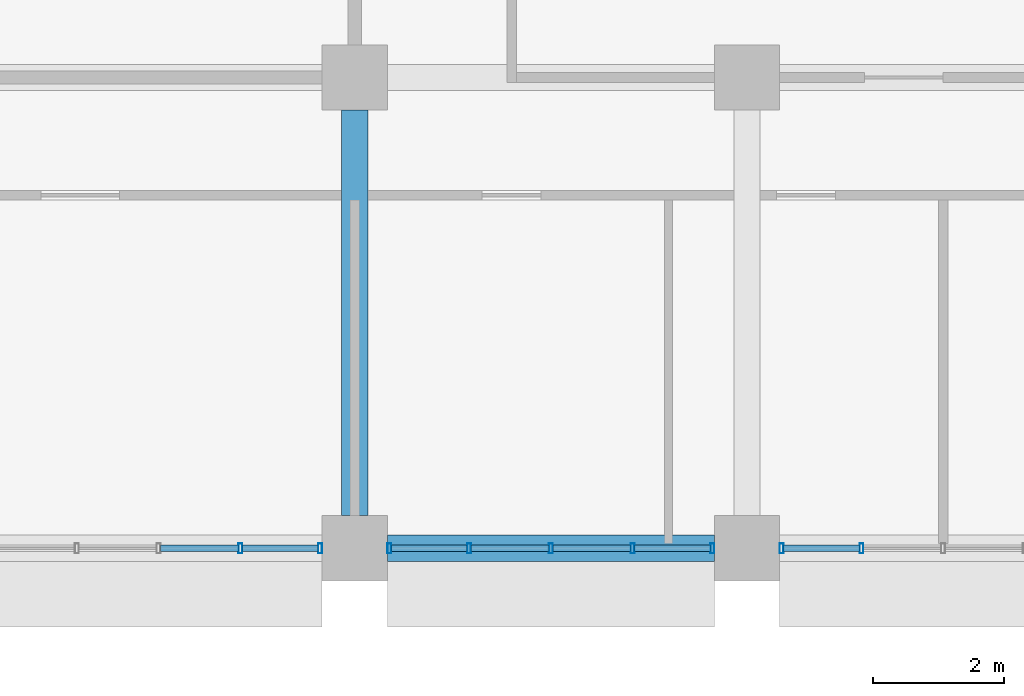
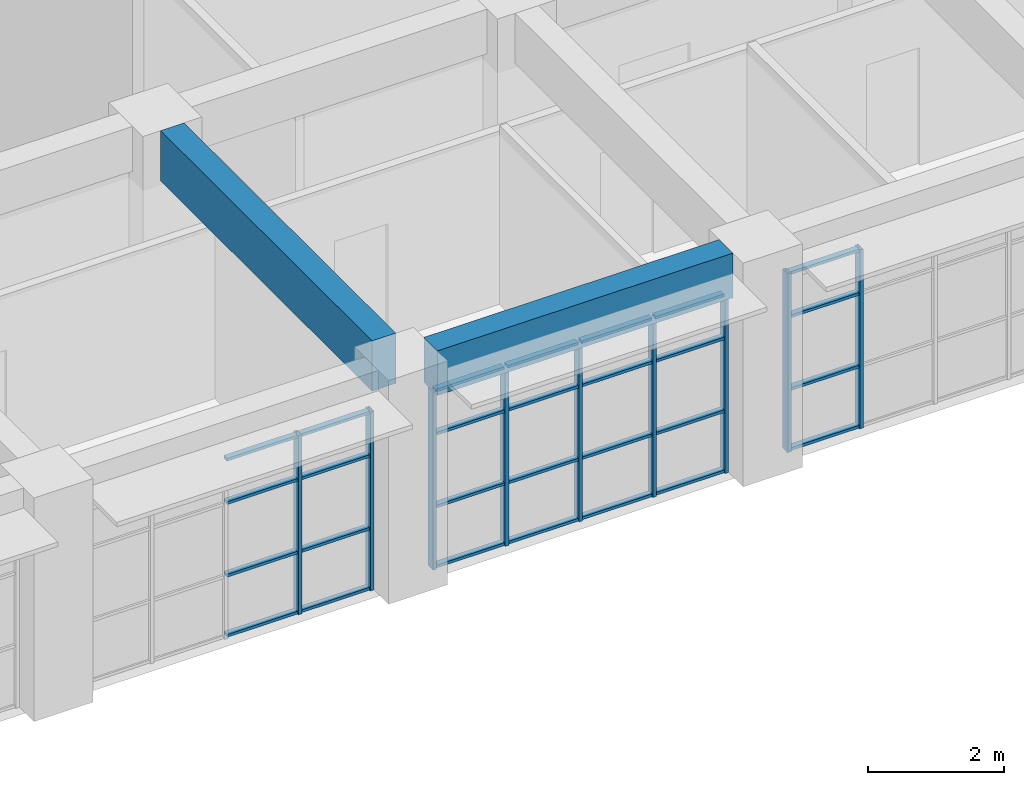
# One storey, part 36 of 92: 37 members, 2 beams, 3 elements without a shape of their own.
"""IFC4 building model written with IfcOpenShell, lengths in metres."""

from ifc_helpers import new_model, si_unit, direction, frame, origin, origin_2d, place, context, subcontext, project, spatial, rectangle, hollow_rectangle, extrude, material, material_profile, profile_set, type_object, element, aggregate, save


model = new_model("IFC4")

# Units and contexts
model_context = context("Model", 3, precision=1e-05, world=origin(), true_north=direction((0.0, 1.0)))
body_context = subcontext(model_context, "Body", "Model", "MODEL_VIEW")
ifc_project = project(units=[si_unit("LENGTHUNIT", "METRE"), si_unit("AREAUNIT", "SQUARE_METRE"), si_unit("VOLUMEUNIT", "CUBIC_METRE"), si_unit("PLANEANGLEUNIT", "RADIAN"), si_unit("MASSUNIT", "GRAM", prefix="KILO")], contexts=[model_context])

# Site, building, storey
site_placement = place(None, origin())
site = spatial("IfcSite", under=ifc_project, at=site_placement, CompositionType="ELEMENT")
building_placement = place(site_placement, origin())
building = spatial("IfcBuilding", under=site, at=building_placement, Name="Laocheng Heights Fire and Rescue Headquarters", CompositionType="ELEMENT")
storey_placement = place(building_placement, frame((0.0, 0.0, 12.60009765625)))
storey = spatial("IfcBuildingStorey", under=building, at=storey_placement, Name="L03", CompositionType="ELEMENT", Elevation=12.60009765625)

# Curtain wall, members
ifc_material_1 = material(Name="Dark anodised aluminium unitised curtain wall, low-e double glazing", Category="aluminium")
curtain_wall_type = type_object("IfcCurtainWallType", Name="CW 5000 x 3200 HQ SOUTH RIBBON", PredefinedType="NOTDEFINED", material=ifc_material_1)
curtain_wall_1_placement = place(storey_placement, origin())
curtain_wall_1 = element("IfcCurtainWall", 1, at=curtain_wall_1_placement, inside=storey, type_object=curtain_wall_type, Name="X10-X HQ SOUTH L03", PredefinedType="NOTDEFINED")
ifc_material_2 = material(Name="Dark anodised aluminium 6063-T5 extrusion", Category="aluminium")
ifc_material_profile_1 = material_profile(ifc_material_2, hollow_rectangle(XDim=0.14990234375, YDim=0.06005859375, WallThickness=0.0029296875, at=origin_2d()), Name="AL MULLION 150x60x3 HQ SOUTH RIBBON")
ifc_profile_set_1 = profile_set([ifc_material_profile_1], Name="Dark anodised aluminium 6063-T5 extrusion")
member_type_1 = type_object("IfcMemberType", Name="AL MULLION 150x60x3 HQ SOUTH RIBBON", PredefinedType="MULLION", material=ifc_profile_set_1)
member_1_placement = place(storey_placement, frame((64.25, 50.39990234375, 0.0), z_axis=(0.0, 0.0, 1.0), x_axis=(0.0, 1.0, 0.0)))
member_1 = element("IfcMember", 2, at=member_1_placement, type_object=member_type_1, Name="X10-X mullion 4", PredefinedType="MULLION", context=body_context, shape_type="SweptSolid", body=[
    extrude(hollow_rectangle(XDim=0.14990234375, YDim=0.06005859375, WallThickness=0.0029296875, at=origin_2d()), origin(), (0.0, 0.0, 1.0), 3.199951171875),
])
member_2_placement = place(storey_placement, frame((65.469970703125, 50.39990234375, 0.0), z_axis=(0.0, 0.0, 1.0), x_axis=(0.0, 1.0, 0.0)))
member_2 = element("IfcMember", 3, at=member_2_placement, type_object=member_type_1, Name="X10-X mullion 5", PredefinedType="MULLION", context=body_context, shape_type="SweptSolid", body=[
    extrude(hollow_rectangle(XDim=0.14990234375, YDim=0.06005859375, WallThickness=0.0029296875, at=origin_2d()), origin(), (0.0, 0.0, 1.0), 3.199951171875),
])

curtain_wall_2_placement = place(storey_placement, origin())
curtain_wall_2 = element("IfcCurtainWall", 4, at=curtain_wall_2_placement, inside=storey, type_object=curtain_wall_type, Name="X10-X HQ SOUTH L03", PredefinedType="NOTDEFINED")
member_3_placement = place(storey_placement, frame((66.530029296875, 50.39990234375, 0.0), z_axis=(0.0, 0.0, 1.0), x_axis=(0.0, 1.0, 0.0)))
member_3 = element("IfcMember", 5, at=member_3_placement, type_object=member_type_1, Name="X10-X mullion 1", PredefinedType="MULLION", context=body_context, shape_type="SweptSolid", body=[
    extrude(hollow_rectangle(XDim=0.14990234375, YDim=0.06005859375, WallThickness=0.0029296875, at=origin_2d()), origin(), (0.0, 0.0, 1.0), 3.199951171875),
])
member_4_placement = place(storey_placement, frame((67.75, 50.39990234375, 0.0), z_axis=(0.0, 0.0, 1.0), x_axis=(0.0, 1.0, 0.0)))
member_4 = element("IfcMember", 6, at=member_4_placement, type_object=member_type_1, Name="X10-X mullion 2", PredefinedType="MULLION", context=body_context, shape_type="SweptSolid", body=[
    extrude(hollow_rectangle(XDim=0.14990234375, YDim=0.06005859375, WallThickness=0.0029296875, at=origin_2d()), origin(), (0.0, 0.0, 1.0), 3.199951171875),
])
member_5_placement = place(storey_placement, frame((69.0, 50.39990234375, 0.0), z_axis=(0.0, 0.0, 1.0), x_axis=(0.0, 1.0, 0.0)))
member_5 = element("IfcMember", 7, at=member_5_placement, type_object=member_type_1, Name="X10-X mullion 3", PredefinedType="MULLION", context=body_context, shape_type="SweptSolid", body=[
    extrude(hollow_rectangle(XDim=0.14990234375, YDim=0.06005859375, WallThickness=0.0029296875, at=origin_2d()), origin(), (0.0, 0.0, 1.0), 3.199951171875),
])
member_6_placement = place(storey_placement, frame((70.25, 50.39990234375, 0.0), z_axis=(0.0, 0.0, 1.0), x_axis=(0.0, 1.0, 0.0)))
member_6 = element("IfcMember", 8, at=member_6_placement, type_object=member_type_1, Name="X10-X mullion 4", PredefinedType="MULLION", context=body_context, shape_type="SweptSolid", body=[
    extrude(hollow_rectangle(XDim=0.14990234375, YDim=0.06005859375, WallThickness=0.0029296875, at=origin_2d()), origin(), (0.0, 0.0, 1.0), 3.199951171875),
])
member_7_placement = place(storey_placement, frame((71.469970703125, 50.39990234375, 0.0), z_axis=(0.0, 0.0, 1.0), x_axis=(0.0, 1.0, 0.0)))
member_7 = element("IfcMember", 9, at=member_7_placement, type_object=member_type_1, Name="X10-X mullion 5", PredefinedType="MULLION", context=body_context, shape_type="SweptSolid", body=[
    extrude(hollow_rectangle(XDim=0.14990234375, YDim=0.06005859375, WallThickness=0.0029296875, at=origin_2d()), origin(), (0.0, 0.0, 1.0), 3.199951171875),
])

curtain_wall_3_placement = place(storey_placement, origin())
curtain_wall_3 = element("IfcCurtainWall", 10, at=curtain_wall_3_placement, inside=storey, type_object=curtain_wall_type, Name="X10-X HQ SOUTH L03", PredefinedType="NOTDEFINED")
member_8_placement = place(storey_placement, frame((72.530029296875, 50.39990234375, 0.0), z_axis=(0.0, 0.0, 1.0), x_axis=(0.0, 1.0, 0.0)))
member_8 = element("IfcMember", 11, at=member_8_placement, type_object=member_type_1, Name="X10-X mullion 1", PredefinedType="MULLION", context=body_context, shape_type="SweptSolid", body=[
    extrude(hollow_rectangle(XDim=0.14990234375, YDim=0.06005859375, WallThickness=0.0029296875, at=origin_2d()), origin(), (0.0, 0.0, 1.0), 3.199951171875),
])
member_9_placement = place(storey_placement, frame((73.75, 50.39990234375, 0.0), z_axis=(0.0, 0.0, 1.0), x_axis=(0.0, 1.0, 0.0)))
member_9 = element("IfcMember", 12, at=member_9_placement, type_object=member_type_1, Name="X10-X mullion 2", PredefinedType="MULLION", context=body_context, shape_type="SweptSolid", body=[
    extrude(hollow_rectangle(XDim=0.14990234375, YDim=0.06005859375, WallThickness=0.0029296875, at=origin_2d()), origin(), (0.0, 0.0, 1.0), 3.199951171875),
])

# Member
ifc_material_3 = material(Name="Dark anodised aluminium 6063-T5 extrusion", Category="aluminium")
ifc_material_profile_2 = material_profile(ifc_material_3, hollow_rectangle(XDim=0.10009765625, YDim=0.050048828125, WallThickness=0.0029296875, at=origin_2d()), Name="AL TRANSOM 100x50x3 HQ SOUTH RIBBON")
ifc_profile_set_2 = profile_set([ifc_material_profile_2], Name="Dark anodised aluminium 6063-T5 extrusion")
member_type_2 = type_object("IfcMemberType", Name="AL TRANSOM 100x50x3 HQ SOUTH RIBBON", PredefinedType="USERDEFINED", material=ifc_profile_set_2)
member_10_placement = place(storey_placement, frame((63.030029296875, 50.39990234375, 0.02490234375), z_axis=(1.0, 0.0, 0.0), x_axis=(0.0, 1.0, 0.0)))
member_10 = element("IfcMember", 13, at=member_10_placement, type_object=member_type_2, Name="X10-X transom 3.1", ObjectType="TRANSOM", PredefinedType="USERDEFINED", context=body_context, shape_type="SweptSolid", body=[
    extrude(hollow_rectangle(XDim=0.10009765625, YDim=0.050048828125, WallThickness=0.0029296875, at=origin_2d()), origin(), (0.0, 0.0, 1.0), 1.18994140625),
])

member_11_placement = place(storey_placement, frame((63.030029296875, 50.39990234375, 1.099853515625), z_axis=(1.0, 0.0, 0.0), x_axis=(0.0, 1.0, 0.0)))
member_11 = element("IfcMember", 14, at=member_11_placement, type_object=member_type_2, Name="X10-X transom 3.2", ObjectType="TRANSOM", PredefinedType="USERDEFINED", context=body_context, shape_type="SweptSolid", body=[
    extrude(hollow_rectangle(XDim=0.10009765625, YDim=0.050048828125, WallThickness=0.0029296875, at=origin_2d()), origin(), (0.0, 0.0, 1.0), 1.18994140625),
])

member_12_placement = place(storey_placement, frame((63.030029296875, 50.39990234375, 2.39990234375), z_axis=(1.0, 0.0, 0.0), x_axis=(0.0, 1.0, 0.0)))
member_12 = element("IfcMember", 15, at=member_12_placement, type_object=member_type_2, Name="X10-X transom 3.3", ObjectType="TRANSOM", PredefinedType="USERDEFINED", context=body_context, shape_type="SweptSolid", body=[
    extrude(hollow_rectangle(XDim=0.10009765625, YDim=0.050048828125, WallThickness=0.0029296875, at=origin_2d()), origin(), (0.0, 0.0, 1.0), 1.18994140625),
])

member_13_placement = place(storey_placement, frame((63.030029296875, 50.39990234375, 3.1748046875), z_axis=(1.0, 0.0, 0.0), x_axis=(0.0, 1.0, 0.0)))
member_13 = element("IfcMember", 16, at=member_13_placement, type_object=member_type_2, Name="X10-X transom 3.4", ObjectType="TRANSOM", PredefinedType="USERDEFINED", context=body_context, shape_type="SweptSolid", body=[
    extrude(hollow_rectangle(XDim=0.10009765625, YDim=0.050048828125, WallThickness=0.0029296875, at=origin_2d()), origin(), (0.0, 0.0, 1.0), 1.18994140625),
])

member_14_placement = place(storey_placement, frame((64.280029296875, 50.39990234375, 0.02490234375), z_axis=(1.0, 0.0, 0.0), x_axis=(0.0, 1.0, 0.0)))
member_14 = element("IfcMember", 17, at=member_14_placement, type_object=member_type_2, Name="X10-X transom 4.1", ObjectType="TRANSOM", PredefinedType="USERDEFINED", context=body_context, shape_type="SweptSolid", body=[
    extrude(hollow_rectangle(XDim=0.10009765625, YDim=0.050048828125, WallThickness=0.0029296875, at=origin_2d()), origin(), (0.0, 0.0, 1.0), 1.159912109375),
])

member_15_placement = place(storey_placement, frame((64.280029296875, 50.39990234375, 1.099853515625), z_axis=(1.0, 0.0, 0.0), x_axis=(0.0, 1.0, 0.0)))
member_15 = element("IfcMember", 18, at=member_15_placement, type_object=member_type_2, Name="X10-X transom 4.2", ObjectType="TRANSOM", PredefinedType="USERDEFINED", context=body_context, shape_type="SweptSolid", body=[
    extrude(hollow_rectangle(XDim=0.10009765625, YDim=0.050048828125, WallThickness=0.0029296875, at=origin_2d()), origin(), (0.0, 0.0, 1.0), 1.159912109375),
])

member_16_placement = place(storey_placement, frame((64.280029296875, 50.39990234375, 2.39990234375), z_axis=(1.0, 0.0, 0.0), x_axis=(0.0, 1.0, 0.0)))
member_16 = element("IfcMember", 19, at=member_16_placement, type_object=member_type_2, Name="X10-X transom 4.3", ObjectType="TRANSOM", PredefinedType="USERDEFINED", context=body_context, shape_type="SweptSolid", body=[
    extrude(hollow_rectangle(XDim=0.10009765625, YDim=0.050048828125, WallThickness=0.0029296875, at=origin_2d()), origin(), (0.0, 0.0, 1.0), 1.159912109375),
])

member_17_placement = place(storey_placement, frame((64.280029296875, 50.39990234375, 3.1748046875), z_axis=(1.0, 0.0, 0.0), x_axis=(0.0, 1.0, 0.0)))
member_17 = element("IfcMember", 20, at=member_17_placement, type_object=member_type_2, Name="X10-X transom 4.4", ObjectType="TRANSOM", PredefinedType="USERDEFINED", context=body_context, shape_type="SweptSolid", body=[
    extrude(hollow_rectangle(XDim=0.10009765625, YDim=0.050048828125, WallThickness=0.0029296875, at=origin_2d()), origin(), (0.0, 0.0, 1.0), 1.159912109375),
])

aggregate(curtain_wall_1, [member_1, member_2, member_10, member_11, member_12, member_13, member_14, member_15, member_16, member_17])

member_18_placement = place(storey_placement, frame((66.56005859375, 50.39990234375, 0.02490234375), z_axis=(1.0, 0.0, 0.0), x_axis=(0.0, 1.0, 0.0)))
member_18 = element("IfcMember", 21, at=member_18_placement, type_object=member_type_2, Name="X10-X transom 1.1", ObjectType="TRANSOM", PredefinedType="USERDEFINED", context=body_context, shape_type="SweptSolid", body=[
    extrude(hollow_rectangle(XDim=0.10009765625, YDim=0.050048828125, WallThickness=0.0029296875, at=origin_2d()), origin(), (0.0, 0.0, 1.0), 1.159912109375),
])

member_19_placement = place(storey_placement, frame((66.56005859375, 50.39990234375, 1.099853515625), z_axis=(1.0, 0.0, 0.0), x_axis=(0.0, 1.0, 0.0)))
member_19 = element("IfcMember", 22, at=member_19_placement, type_object=member_type_2, Name="X10-X transom 1.2", ObjectType="TRANSOM", PredefinedType="USERDEFINED", context=body_context, shape_type="SweptSolid", body=[
    extrude(hollow_rectangle(XDim=0.10009765625, YDim=0.050048828125, WallThickness=0.0029296875, at=origin_2d()), origin(), (0.0, 0.0, 1.0), 1.159912109375),
])

member_20_placement = place(storey_placement, frame((66.56005859375, 50.39990234375, 2.39990234375), z_axis=(1.0, 0.0, 0.0), x_axis=(0.0, 1.0, 0.0)))
member_20 = element("IfcMember", 23, at=member_20_placement, type_object=member_type_2, Name="X10-X transom 1.3", ObjectType="TRANSOM", PredefinedType="USERDEFINED", context=body_context, shape_type="SweptSolid", body=[
    extrude(hollow_rectangle(XDim=0.10009765625, YDim=0.050048828125, WallThickness=0.0029296875, at=origin_2d()), origin(), (0.0, 0.0, 1.0), 1.159912109375),
])

member_21_placement = place(storey_placement, frame((66.56005859375, 50.39990234375, 3.1748046875), z_axis=(1.0, 0.0, 0.0), x_axis=(0.0, 1.0, 0.0)))
member_21 = element("IfcMember", 24, at=member_21_placement, type_object=member_type_2, Name="X10-X transom 1.4", ObjectType="TRANSOM", PredefinedType="USERDEFINED", context=body_context, shape_type="SweptSolid", body=[
    extrude(hollow_rectangle(XDim=0.10009765625, YDim=0.050048828125, WallThickness=0.0029296875, at=origin_2d()), origin(), (0.0, 0.0, 1.0), 1.159912109375),
])

member_22_placement = place(storey_placement, frame((67.780029296875, 50.39990234375, 0.02490234375), z_axis=(1.0, 0.0, 0.0), x_axis=(0.0, 1.0, 0.0)))
member_22 = element("IfcMember", 25, at=member_22_placement, type_object=member_type_2, Name="X10-X transom 2.1", ObjectType="TRANSOM", PredefinedType="USERDEFINED", context=body_context, shape_type="SweptSolid", body=[
    extrude(hollow_rectangle(XDim=0.10009765625, YDim=0.050048828125, WallThickness=0.0029296875, at=origin_2d()), origin(), (0.0, 0.0, 1.0), 1.18994140625),
])

member_23_placement = place(storey_placement, frame((67.780029296875, 50.39990234375, 1.099853515625), z_axis=(1.0, 0.0, 0.0), x_axis=(0.0, 1.0, 0.0)))
member_23 = element("IfcMember", 26, at=member_23_placement, type_object=member_type_2, Name="X10-X transom 2.2", ObjectType="TRANSOM", PredefinedType="USERDEFINED", context=body_context, shape_type="SweptSolid", body=[
    extrude(hollow_rectangle(XDim=0.10009765625, YDim=0.050048828125, WallThickness=0.0029296875, at=origin_2d()), origin(), (0.0, 0.0, 1.0), 1.18994140625),
])

member_24_placement = place(storey_placement, frame((67.780029296875, 50.39990234375, 2.39990234375), z_axis=(1.0, 0.0, 0.0), x_axis=(0.0, 1.0, 0.0)))
member_24 = element("IfcMember", 27, at=member_24_placement, type_object=member_type_2, Name="X10-X transom 2.3", ObjectType="TRANSOM", PredefinedType="USERDEFINED", context=body_context, shape_type="SweptSolid", body=[
    extrude(hollow_rectangle(XDim=0.10009765625, YDim=0.050048828125, WallThickness=0.0029296875, at=origin_2d()), origin(), (0.0, 0.0, 1.0), 1.18994140625),
])

member_25_placement = place(storey_placement, frame((67.780029296875, 50.39990234375, 3.1748046875), z_axis=(1.0, 0.0, 0.0), x_axis=(0.0, 1.0, 0.0)))
member_25 = element("IfcMember", 28, at=member_25_placement, type_object=member_type_2, Name="X10-X transom 2.4", ObjectType="TRANSOM", PredefinedType="USERDEFINED", context=body_context, shape_type="SweptSolid", body=[
    extrude(hollow_rectangle(XDim=0.10009765625, YDim=0.050048828125, WallThickness=0.0029296875, at=origin_2d()), origin(), (0.0, 0.0, 1.0), 1.18994140625),
])

member_26_placement = place(storey_placement, frame((69.030029296875, 50.39990234375, 0.02490234375), z_axis=(1.0, 0.0, 0.0), x_axis=(0.0, 1.0, 0.0)))
member_26 = element("IfcMember", 29, at=member_26_placement, type_object=member_type_2, Name="X10-X transom 3.1", ObjectType="TRANSOM", PredefinedType="USERDEFINED", context=body_context, shape_type="SweptSolid", body=[
    extrude(hollow_rectangle(XDim=0.10009765625, YDim=0.050048828125, WallThickness=0.0029296875, at=origin_2d()), origin(), (0.0, 0.0, 1.0), 1.18994140625),
])

member_27_placement = place(storey_placement, frame((69.030029296875, 50.39990234375, 1.099853515625), z_axis=(1.0, 0.0, 0.0), x_axis=(0.0, 1.0, 0.0)))
member_27 = element("IfcMember", 30, at=member_27_placement, type_object=member_type_2, Name="X10-X transom 3.2", ObjectType="TRANSOM", PredefinedType="USERDEFINED", context=body_context, shape_type="SweptSolid", body=[
    extrude(hollow_rectangle(XDim=0.10009765625, YDim=0.050048828125, WallThickness=0.0029296875, at=origin_2d()), origin(), (0.0, 0.0, 1.0), 1.18994140625),
])

member_28_placement = place(storey_placement, frame((69.030029296875, 50.39990234375, 2.39990234375), z_axis=(1.0, 0.0, 0.0), x_axis=(0.0, 1.0, 0.0)))
member_28 = element("IfcMember", 31, at=member_28_placement, type_object=member_type_2, Name="X10-X transom 3.3", ObjectType="TRANSOM", PredefinedType="USERDEFINED", context=body_context, shape_type="SweptSolid", body=[
    extrude(hollow_rectangle(XDim=0.10009765625, YDim=0.050048828125, WallThickness=0.0029296875, at=origin_2d()), origin(), (0.0, 0.0, 1.0), 1.18994140625),
])

member_29_placement = place(storey_placement, frame((69.030029296875, 50.39990234375, 3.1748046875), z_axis=(1.0, 0.0, 0.0), x_axis=(0.0, 1.0, 0.0)))
member_29 = element("IfcMember", 32, at=member_29_placement, type_object=member_type_2, Name="X10-X transom 3.4", ObjectType="TRANSOM", PredefinedType="USERDEFINED", context=body_context, shape_type="SweptSolid", body=[
    extrude(hollow_rectangle(XDim=0.10009765625, YDim=0.050048828125, WallThickness=0.0029296875, at=origin_2d()), origin(), (0.0, 0.0, 1.0), 1.18994140625),
])

member_30_placement = place(storey_placement, frame((70.280029296875, 50.39990234375, 0.02490234375), z_axis=(1.0, 0.0, 0.0), x_axis=(0.0, 1.0, 0.0)))
member_30 = element("IfcMember", 33, at=member_30_placement, type_object=member_type_2, Name="X10-X transom 4.1", ObjectType="TRANSOM", PredefinedType="USERDEFINED", context=body_context, shape_type="SweptSolid", body=[
    extrude(hollow_rectangle(XDim=0.10009765625, YDim=0.050048828125, WallThickness=0.0029296875, at=origin_2d()), origin(), (0.0, 0.0, 1.0), 1.159912109375),
])

member_31_placement = place(storey_placement, frame((70.280029296875, 50.39990234375, 1.099853515625), z_axis=(1.0, 0.0, 0.0), x_axis=(0.0, 1.0, 0.0)))
member_31 = element("IfcMember", 34, at=member_31_placement, type_object=member_type_2, Name="X10-X transom 4.2", ObjectType="TRANSOM", PredefinedType="USERDEFINED", context=body_context, shape_type="SweptSolid", body=[
    extrude(hollow_rectangle(XDim=0.10009765625, YDim=0.050048828125, WallThickness=0.0029296875, at=origin_2d()), origin(), (0.0, 0.0, 1.0), 1.159912109375),
])

member_32_placement = place(storey_placement, frame((70.280029296875, 50.39990234375, 2.39990234375), z_axis=(1.0, 0.0, 0.0), x_axis=(0.0, 1.0, 0.0)))
member_32 = element("IfcMember", 35, at=member_32_placement, type_object=member_type_2, Name="X10-X transom 4.3", ObjectType="TRANSOM", PredefinedType="USERDEFINED", context=body_context, shape_type="SweptSolid", body=[
    extrude(hollow_rectangle(XDim=0.10009765625, YDim=0.050048828125, WallThickness=0.0029296875, at=origin_2d()), origin(), (0.0, 0.0, 1.0), 1.159912109375),
])

member_33_placement = place(storey_placement, frame((70.280029296875, 50.39990234375, 3.1748046875), z_axis=(1.0, 0.0, 0.0), x_axis=(0.0, 1.0, 0.0)))
member_33 = element("IfcMember", 36, at=member_33_placement, type_object=member_type_2, Name="X10-X transom 4.4", ObjectType="TRANSOM", PredefinedType="USERDEFINED", context=body_context, shape_type="SweptSolid", body=[
    extrude(hollow_rectangle(XDim=0.10009765625, YDim=0.050048828125, WallThickness=0.0029296875, at=origin_2d()), origin(), (0.0, 0.0, 1.0), 1.159912109375),
])

aggregate(curtain_wall_2, [member_3, member_4, member_5, member_6, member_7, member_18, member_19, member_20, member_21, member_22, member_23, member_24, member_25, member_26, member_27, member_28, member_29, member_30, member_31, member_32, member_33])

member_34_placement = place(storey_placement, frame((72.56005859375, 50.39990234375, 0.02490234375), z_axis=(1.0, 0.0, 0.0), x_axis=(0.0, 1.0, 0.0)))
member_34 = element("IfcMember", 37, at=member_34_placement, type_object=member_type_2, Name="X10-X transom 1.1", ObjectType="TRANSOM", PredefinedType="USERDEFINED", context=body_context, shape_type="SweptSolid", body=[
    extrude(hollow_rectangle(XDim=0.10009765625, YDim=0.050048828125, WallThickness=0.0029296875, at=origin_2d()), origin(), (0.0, 0.0, 1.0), 1.159912109375),
])

member_35_placement = place(storey_placement, frame((72.56005859375, 50.39990234375, 1.099853515625), z_axis=(1.0, 0.0, 0.0), x_axis=(0.0, 1.0, 0.0)))
member_35 = element("IfcMember", 38, at=member_35_placement, type_object=member_type_2, Name="X10-X transom 1.2", ObjectType="TRANSOM", PredefinedType="USERDEFINED", context=body_context, shape_type="SweptSolid", body=[
    extrude(hollow_rectangle(XDim=0.10009765625, YDim=0.050048828125, WallThickness=0.0029296875, at=origin_2d()), origin(), (0.0, 0.0, 1.0), 1.159912109375),
])

member_36_placement = place(storey_placement, frame((72.56005859375, 50.39990234375, 2.39990234375), z_axis=(1.0, 0.0, 0.0), x_axis=(0.0, 1.0, 0.0)))
member_36 = element("IfcMember", 39, at=member_36_placement, type_object=member_type_2, Name="X10-X transom 1.3", ObjectType="TRANSOM", PredefinedType="USERDEFINED", context=body_context, shape_type="SweptSolid", body=[
    extrude(hollow_rectangle(XDim=0.10009765625, YDim=0.050048828125, WallThickness=0.0029296875, at=origin_2d()), origin(), (0.0, 0.0, 1.0), 1.159912109375),
])

member_37_placement = place(storey_placement, frame((72.56005859375, 50.39990234375, 3.1748046875), z_axis=(1.0, 0.0, 0.0), x_axis=(0.0, 1.0, 0.0)))
member_37 = element("IfcMember", 40, at=member_37_placement, type_object=member_type_2, Name="X10-X transom 1.4", ObjectType="TRANSOM", PredefinedType="USERDEFINED", context=body_context, shape_type="SweptSolid", body=[
    extrude(hollow_rectangle(XDim=0.10009765625, YDim=0.050048828125, WallThickness=0.0029296875, at=origin_2d()), origin(), (0.0, 0.0, 1.0), 1.159912109375),
])

aggregate(curtain_wall_3, [member_8, member_9, member_34, member_35, member_36, member_37])

# Beams
ifc_material_4 = material(Name="Concrete C40", Category="concrete")
ifc_material_profile_3 = material_profile(ifc_material_4, rectangle(XDim=0.39990234375, YDim=0.800048828125, at=origin_2d()), Name="RC BEAM 400x800 HQ")
ifc_profile_set_3 = profile_set([ifc_material_profile_3], Name="Concrete C40")
beam_type_1 = type_object("IfcBeamType", Name="RC BEAM 400x800 HQ", PredefinedType="BEAM", material=ifc_profile_set_3)
beam_1_placement = place(storey_placement, frame((66.5, 50.39990234375, 3.599853515625), z_axis=(1.0, 0.0, 0.0), x_axis=(0.0, 1.0, 0.0)))
element("IfcBeam", 41, at=beam_1_placement, inside=storey, type_object=beam_type_1, Name="HQ beam L03", PredefinedType="BEAM", context=body_context, shape_type="SweptSolid", body=[
    extrude(rectangle(XDim=0.39990234375, YDim=0.800048828125, at=origin_2d()), origin(), (0.0, 0.0, 1.0), 5.0),
])
ifc_material_5 = material(Name="Concrete C40", Category="concrete")
ifc_material_profile_4 = material_profile(ifc_material_5, rectangle(XDim=0.39990234375, YDim=0.89990234375, at=origin_2d()), Name="RC BEAM 400x900 HQ")
ifc_profile_set_4 = profile_set([ifc_material_profile_4], Name="Concrete C40")
beam_type_2 = type_object("IfcBeamType", Name="RC BEAM 400x900 HQ", PredefinedType="BEAM", material=ifc_profile_set_4)
beam_2_placement = place(storey_placement, frame((66.0, 50.89990234375, 3.5498046875), z_axis=(0.0, 1.0, 0.0), x_axis=(-1.0, 0.0, 0.0)))
element("IfcBeam", 42, at=beam_2_placement, inside=storey, type_object=beam_type_2, Name="HQ beam L03", PredefinedType="BEAM", context=body_context, shape_type="SweptSolid", body=[
    extrude(rectangle(XDim=0.39990234375, YDim=0.89990234375, at=origin_2d()), origin(), (0.0, 0.0, 1.0), 6.2001953125),
])

save(model, "model.ifc")
